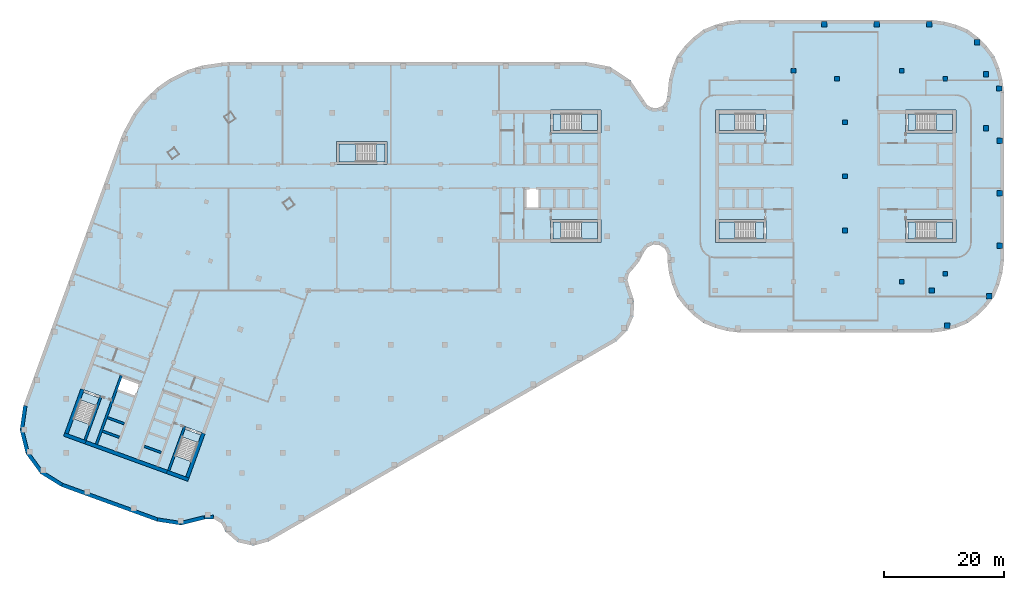
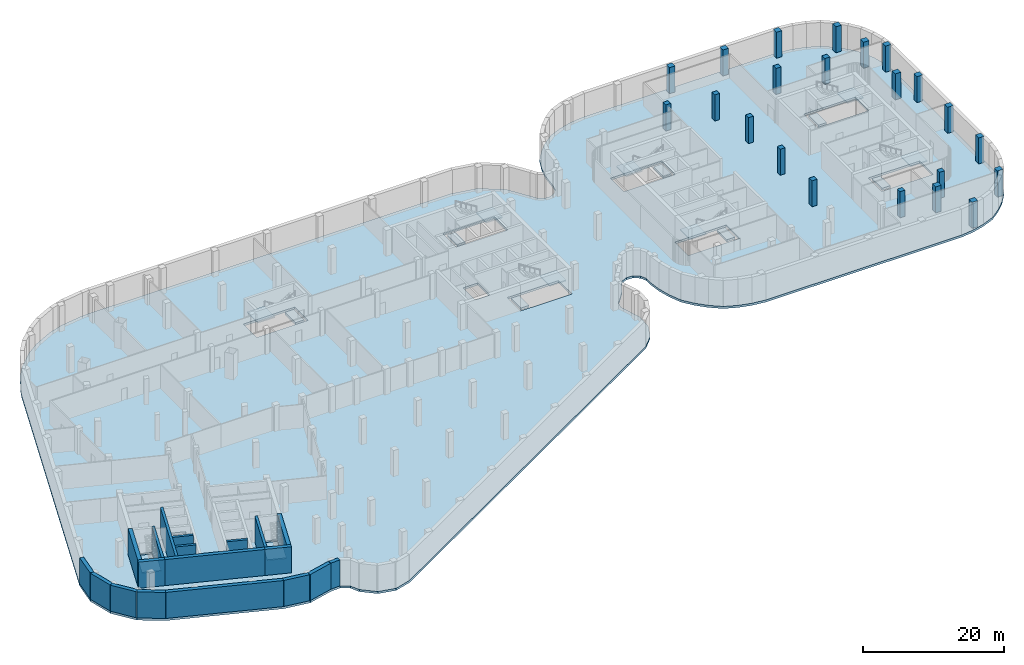
# One storey, part 2 of 16: 22 columns, 19 slabs, 19 walls, 9 elements without a shape of their own.
"""IFC4 building model written with IfcOpenShell, lengths in metres."""

from ifc_helpers import new_model, si_unit, direction, frame, frame_2d, origin, origin_2d, place, context, subcontext, project, spatial, polyline, rectangle, outline, extrude, material, layer, layer_set, material_profile, profile_set, type_object, element, aggregate, save


model = new_model("IFC4")

# Units and contexts
model_context = context("Model", 3, precision=1e-05, world=origin(), true_north=direction((0.0, 1.0)))
body_context = subcontext(model_context, "Body", "Model", "MODEL_VIEW")
ifc_project = project(units=[si_unit("LENGTHUNIT", "METRE"), si_unit("AREAUNIT", "SQUARE_METRE"), si_unit("VOLUMEUNIT", "CUBIC_METRE"), si_unit("PLANEANGLEUNIT", "RADIAN"), si_unit("MASSUNIT", "GRAM", prefix="KILO")], contexts=[model_context])

# Site, building, storey
site_placement = place(None, origin())
site = spatial("IfcSite", under=ifc_project, at=site_placement, CompositionType="ELEMENT")
building_placement = place(site_placement, origin())
building = spatial("IfcBuilding", under=site, at=building_placement, Name="Skarvind Civic Tower", CompositionType="ELEMENT")
storey_placement = place(building_placement, frame((0.0, 0.0, -4.5)))
storey = spatial("IfcBuildingStorey", under=building, at=storey_placement, Name="B1", CompositionType="ELEMENT", Elevation=-4.5)

# Columns
ifc_material_1 = material(Name="Concrete C60", Category="concrete")
ifc_material_profile_1 = material_profile(ifc_material_1, rectangle(XDim=0.800048828125, YDim=0.800048828125, at=origin_2d()), Name="RC-800x800")
ifc_profile_set_1 = profile_set([ifc_material_profile_1], Name="Concrete C60")
column_type_1 = type_object("IfcColumnType", Name="Column RC-800x800 C60", PredefinedType="COLUMN", material=ifc_profile_set_1)
for number, where, z_axis, x_axis, name in (
    (1, (148.550048828125, 119.0, 0.0), (0.0, 0.0, 1.0), (1.0, 0.0, 0.0), "Column second tower middle line 01 B1"),
    (2, (148.550048828125, 128.0, 0.0), (0.0, 0.0, 1.0), (1.0, 0.0, 0.0), "Column second tower middle line 02 B1"),
    (3, (148.550048828125, 137.0, 0.0), (0.0, 0.0, 1.0), (1.0, 0.0, 0.0), "Column second tower middle line 03 B1"),
    (4, (140.0, 145.550048828125, 0.0), (0.0, 0.0, 1.0), (1.0, 0.0, 0.0), "Column second tower north perimeter 02 B1"),
    (5, (147.222900390625, 144.222900390625, 0.0), (0.0, 0.0, 1.0), (1.0, 0.0, 0.0), "Column second tower north perimeter 03 B1"),
    (6, (165.222900390625, 144.222900390625, 0.0), (0.0, 0.0, 1.0), (1.0, 0.0, 0.0), "Column second tower north-east corner B1"),
    (7, (165.222900390625, 111.777099609375, 0.0), (0.0, 0.0, 1.0), (1.0, 0.0, 0.0), "Column second tower south-east corner B1"),
    (8, (158.0, 145.550048828125, 0.0), (0.0, 0.0, 1.0), (1.0, 0.0, 0.0), "Column second tower north perimeter 04 B1"),
    (9, (158.0, 110.449951171875, 0.0), (0.0, 0.0, 1.0), (1.0, 0.0, 0.0), "Column second tower south perimeter 04 B1"),
):
    element("IfcColumn", number, at=place(storey_placement, frame(where, z_axis=z_axis, x_axis=x_axis)), inside=storey, type_object=column_type_1, Name=name, PredefinedType="COLUMN", context=body_context, shape_type="SweptSolid", body=[
        extrude(rectangle(XDim=0.800048828125, YDim=0.800048828125, at=origin_2d()), origin(), (0.0, 0.0, 1.0), 4.5),
    ])
ifc_material_profile_2 = material_profile(ifc_material_1, rectangle(XDim=0.89990234375, YDim=0.89990234375, at=origin_2d()), Name="RC-900x900")
ifc_profile_set_2 = profile_set([ifc_material_profile_2], Name="Concrete C60")
column_type_2 = type_object("IfcColumnType", Name="Column RC-900x900 C60", PredefinedType="COLUMN", material=ifc_profile_set_2)
for number, where, z_axis, x_axis, name in (
    (10, (163.0, 109.0, 0.0), (0.0, 0.0, 1.0), (1.0, 0.0, 0.0), "Column podium grid 104 B1"),
    (11, (172.0, 136.0, 0.0), (0.0, 0.0, 1.0), (1.0, 0.0, 0.0), "Column podium grid 105 B1"),
    (12, (172.0, 145.0, 0.0), (0.0, 0.0, 1.0), (1.0, 0.0, 0.0), "Column podium grid 106 B1"),
    (13, (145.1015625, 153.300048828125, 0.0), (0.0, 0.0, 1.0), (1.0, 0.0, 0.0), "Column podium edge 31 B1"),
    (14, (153.8310546875, 153.300048828125, 0.0), (0.0, 0.0, 1.0), (1.0, 0.0, 0.0), "Column podium edge 32 B1"),
    (15, (162.560791015625, 153.300048828125, 0.0), (0.0, 0.0, 1.0), (1.0, 0.0, 0.0), "Column podium edge 33 B1"),
    (16, (170.520751953125, 150.26708984375, 0.0), (0.0, 0.0, 1.0), (1.0, 0.0, 0.0), "Column podium edge 34 B1"),
    (17, (174.210693359375, 142.610595703125, 0.0), (0.0, 0.0, 1.0), (1.0, 0.0, 0.0), "Column podium edge 35 B1"),
    (18, (174.300048828125, 133.88671875, 0.0), (0.0, 0.0, 1.0), (1.0, 0.0, 0.0), "Column podium edge 36 B1"),
    (19, (174.300048828125, 125.1572265625, 0.0), (0.0, 0.0, 1.0), (1.0, 0.0, 0.0), "Column podium edge 37 B1"),
    (20, (174.300048828125, 116.427490234375, 0.0), (0.0, 0.0, 1.0), (1.0, 0.0, 0.0), "Column podium edge 38 B1"),
    (21, (172.520751953125, 108.018798828125, 0.0), (0.0, 0.0, 1.0), (1.0, 0.0, 0.0), "Column podium edge 39 B1"),
    (22, (165.565673828125, 103.1298828125, 0.0), (0.0, 0.0, 1.0), (1.0, 0.0, 0.0), "Column podium edge 40 B1"),
):
    element("IfcColumn", number, at=place(storey_placement, frame(where, z_axis=z_axis, x_axis=x_axis)), inside=storey, type_object=column_type_2, Name=name, PredefinedType="COLUMN", context=body_context, shape_type="SweptSolid", body=[
        extrude(rectangle(XDim=0.89990234375, YDim=0.89990234375, at=origin_2d()), origin(), (0.0, 0.0, 1.0), 4.5),
    ])

# Slabs
ifc_material_2 = material(Name="Concrete C50", Category="concrete")
ifc_layer_1 = layer(ifc_material_2, 0.375)
ifc_layer_set_1 = layer_set([ifc_layer_1], Name="Floor slab 375 C50")
slab_type_1 = type_object("IfcSlabType", Name="Floor slab 375 C50", PredefinedType="FLOOR", material=ifc_layer_set_1)
slab_1_placement = place(storey_placement, frame((0.0, 0.0, -0.375)))
element("IfcSlab", 23, at=slab_1_placement, inside=storey, type_object=slab_type_1, Name="Floor slab B1 1", PredefinedType="FLOOR", context=body_context, shape_type="SweptSolid", body=[
    extrude(outline(polyline([(52.751220703125, 67.291015625), (110.5869140625, 100.577880859375), (112.365234375, 102.4130859375), (113.374267578125, 104.760986328125), (113.4814453125, 107.314208984375), (112.6728515625, 109.73828125), (112.37109375, 110.751953125), (112.6005859375, 111.7841796875), (113.303466796875, 112.57470703125), (114.366455078125, 113.885009765625), (115.1328125, 115.388427734375), (115.75048828125, 116.2119140625), (116.6904296875, 116.63232421875), (117.716064453125, 116.54345703125), (118.56982421875, 115.968017578125), (119.036865234375, 115.05078125), (119.0, 114.021728515625), (119.2783203125, 111.908447265625), (119.8017578125, 109.95458984375), (120.610107421875, 108.001220703125), (121.897705078125, 106.32470703125), (123.32470703125, 104.897705078125), (125.001220703125, 103.610107421875), (126.95458984375, 102.8017578125), (128.908447265625, 102.2783203125), (131.021728515625, 102.0), (162.978271484375, 102.0), (165.091552734375, 102.2783203125), (167.04541015625, 102.8017578125), (168.998779296875, 103.610107421875), (170.67529296875, 104.897705078125), (172.102294921875, 106.32470703125), (173.389892578125, 108.001220703125), (174.1982421875, 109.95458984375), (174.7216796875, 111.908447265625), (175.0, 114.021728515625), (175.0, 141.978271484375), (174.7216796875, 144.091552734375), (174.1982421875, 146.04541015625), (173.389892578125, 147.998779296875), (172.102294921875, 149.67529296875), (170.67529296875, 151.102294921875), (168.998779296875, 152.389892578125), (167.04541015625, 153.1982421875), (165.091552734375, 153.7216796875), (162.978271484375, 154.0), (131.021728515625, 154.0), (128.908447265625, 153.7216796875), (126.95458984375, 153.1982421875), (125.001220703125, 152.389892578125), (123.32470703125, 151.102294921875), (121.897705078125, 149.67529296875), (120.610107421875, 147.998779296875), (119.8017578125, 146.04541015625), (119.2783203125, 144.091552734375), (119.0, 141.328369140625), (118.785400390625, 140.427490234375), (118.18798828125, 139.7197265625), (117.336181640625, 139.356689453125), (116.411865234375, 139.41650390625), (115.613525390625, 139.885986328125), (115.1123046875, 140.664794921875), (112.829345703125, 144.004638671875), (109.44921875, 146.227294921875), (105.478271484375, 147.0), (46.114013671875, 147.0), (44.900390625, 146.910400390625), (41.58837890625, 146.417724609375), (39.1904296875, 145.67041015625), (36.191162109375, 144.19775390625), (34.1337890625, 142.757080078125), (31.72412109375, 140.442626953125), (30.201904296875, 138.44482421875), (28.606201171875, 135.5009765625), (28.10693359375, 134.391357421875), (11.9072265625, 89.883544921875), (11.325439453125, 85.83349609375), (12.311279296875, 81.862548828125), (14.719482421875, 78.554931640625), (18.19580078125, 76.3974609375), (34.129638671875, 70.59814453125), (38.114990234375, 69.990478515625), (42.026611328125, 70.964111328125), (43.532470703125, 71.034423828125), (44.827880859375, 70.263916015625), (45.484619140625, 68.9072265625), (47.523193359375, 67.14111328125), (50.15625, 66.555419921875), (52.751220703125, 67.291015625)]), holes=[polyline([(42.108642578125, 85.146484375), (39.235595703125, 77.253173828125), (35.664794921875, 78.552734375), (38.53759765625, 86.4462890625), (42.108642578125, 85.146484375)]), polyline([(25.006103515625, 91.371337890625), (22.13330078125, 83.477783203125), (18.5625, 84.777587890625), (21.435302734375, 92.6708984375), (25.006103515625, 91.371337890625)]), polyline([(31.3291015625, 93.53955078125), (30.50830078125, 91.2841796875), (27.313232421875, 92.447021484375), (28.134033203125, 94.702392578125), (31.3291015625, 93.53955078125)]), polyline([(97.800048828125, 126.0), (97.800048828125, 122.60009765625), (95.39990234375, 122.60009765625), (95.39990234375, 126.0), (97.800048828125, 126.0)]), polyline([(64.0, 130.0), (64.0, 133.800048828125), (72.39990234375, 133.800048828125), (72.39990234375, 130.0), (64.0, 130.0)]), polyline([(99.60009765625, 139.0), (108.0, 139.0), (108.0, 135.199951171875), (99.60009765625, 135.199951171875), (99.60009765625, 139.0)]), polyline([(108.0, 120.800048828125), (108.0, 117.0), (99.60009765625, 117.0), (99.60009765625, 120.800048828125), (108.0, 120.800048828125)]), polyline([(127.0, 117.0), (127.0, 120.800048828125), (135.39990234375, 120.800048828125), (135.39990234375, 117.0), (127.0, 117.0)]), polyline([(158.60009765625, 120.800048828125), (167.0, 120.800048828125), (167.0, 117.0), (158.60009765625, 117.0), (158.60009765625, 120.800048828125)]), polyline([(127.0, 135.199951171875), (127.0, 139.0), (135.39990234375, 139.0), (135.39990234375, 135.199951171875), (127.0, 135.199951171875)]), polyline([(167.0, 139.0), (167.0, 135.199951171875), (158.60009765625, 135.199951171875), (158.60009765625, 139.0), (167.0, 139.0)])]), origin(), (0.0, 0.0, 1.0), 0.375),
])
ifc_material_3 = material(Name="Concrete C40/50", Category="concrete")
ifc_layer_2 = layer(ifc_material_3, 0.375)
ifc_layer_set_2 = layer_set([ifc_layer_2], Name="Stair floor landing slab 375")
slab_type_2 = type_object("IfcSlabType", Name="Stair floor landing slab 375", PredefinedType="LANDING", material=ifc_layer_set_2)
slab_2_placement = place(storey_placement, frame((0.0, 0.0, -0.375)))
element("IfcSlab", 24, at=slab_2_placement, inside=storey, type_object=slab_type_2, Name="Stair floor landing", PredefinedType="LANDING", context=body_context, shape_type="SweptSolid", body=[
    extrude(outline(polyline([(101.3505859375, 138.400634765625), (101.3505859375, 135.599365234375), (99.99951171875, 135.599365234375), (99.99951171875, 138.400634765625), (101.3505859375, 138.400634765625)])), origin(), (0.0, 0.0, 1.0), 0.375),
])
slab_3_placement = place(storey_placement, frame((0.0, 0.0, -0.375)))
element("IfcSlab", 25, at=slab_3_placement, inside=storey, type_object=slab_type_2, Name="Stair floor landing", PredefinedType="LANDING", context=body_context, shape_type="SweptSolid", body=[
    extrude(outline(polyline([(101.3505859375, 120.400634765625), (101.3505859375, 117.599365234375), (99.99951171875, 117.599365234375), (99.99951171875, 120.400634765625), (101.3505859375, 120.400634765625)])), origin(), (0.0, 0.0, 1.0), 0.375),
])
slab_4_placement = place(storey_placement, frame((0.0, 0.0, -0.375)))
element("IfcSlab", 26, at=slab_4_placement, inside=storey, type_object=slab_type_2, Name="Stair floor landing", PredefinedType="LANDING", context=body_context, shape_type="SweptSolid", body=[
    extrude(outline(polyline([(40.946533203125, 83.70654296875), (38.314208984375, 84.66455078125), (38.7763671875, 85.934326171875), (41.40869140625, 84.976318359375), (40.946533203125, 83.70654296875)])), origin(), (0.0, 0.0, 1.0), 0.375),
])
slab_5_placement = place(storey_placement, frame((0.0, 0.0, -0.375)))
element("IfcSlab", 27, at=slab_5_placement, inside=storey, type_object=slab_type_2, Name="Stair floor landing", PredefinedType="LANDING", context=body_context, shape_type="SweptSolid", body=[
    extrude(outline(polyline([(24.0322265625, 89.863037109375), (21.39990234375, 90.821044921875), (21.862060546875, 92.090576171875), (24.494384765625, 91.132568359375), (24.0322265625, 89.863037109375)])), origin(), (0.0, 0.0, 1.0), 0.375),
])
slab_6_placement = place(storey_placement, frame((0.0, 0.0, -0.375)))
element("IfcSlab", 28, at=slab_6_placement, inside=storey, type_object=slab_type_2, Name="Stair floor landing", PredefinedType="LANDING", context=body_context, shape_type="SweptSolid", body=[
    extrude(outline(polyline([(133.6494140625, 117.599365234375), (133.6494140625, 120.400634765625), (135.00048828125, 120.400634765625), (135.00048828125, 117.599365234375), (133.6494140625, 117.599365234375)])), origin(), (0.0, 0.0, 1.0), 0.375),
])
slab_7_placement = place(storey_placement, frame((0.0, 0.0, -0.375)))
element("IfcSlab", 29, at=slab_7_placement, inside=storey, type_object=slab_type_2, Name="Stair floor landing", PredefinedType="LANDING", context=body_context, shape_type="SweptSolid", body=[
    extrude(outline(polyline([(133.6494140625, 135.599365234375), (133.6494140625, 138.400634765625), (135.00048828125, 138.400634765625), (135.00048828125, 135.599365234375), (133.6494140625, 135.599365234375)])), origin(), (0.0, 0.0, 1.0), 0.375),
])
slab_8_placement = place(storey_placement, frame((0.0, 0.0, -0.375)))
element("IfcSlab", 30, at=slab_8_placement, inside=storey, type_object=slab_type_2, Name="Stair floor landing", PredefinedType="LANDING", context=body_context, shape_type="SweptSolid", body=[
    extrude(outline(polyline([(160.3505859375, 138.400634765625), (160.3505859375, 135.599365234375), (158.99951171875, 135.599365234375), (158.99951171875, 138.400634765625), (160.3505859375, 138.400634765625)])), origin(), (0.0, 0.0, 1.0), 0.375),
])
slab_9_placement = place(storey_placement, frame((0.0, 0.0, -0.375)))
element("IfcSlab", 31, at=slab_9_placement, inside=storey, type_object=slab_type_2, Name="Stair floor landing", PredefinedType="LANDING", context=body_context, shape_type="SweptSolid", body=[
    extrude(outline(polyline([(160.3505859375, 120.400634765625), (160.3505859375, 117.599365234375), (158.99951171875, 117.599365234375), (158.99951171875, 120.400634765625), (160.3505859375, 120.400634765625)])), origin(), (0.0, 0.0, 1.0), 0.375),
])
slab_10_placement = place(storey_placement, frame((0.0, 0.0, -0.375)))
element("IfcSlab", 32, at=slab_10_placement, inside=storey, type_object=slab_type_2, Name="Stair floor landing", PredefinedType="LANDING", context=body_context, shape_type="SweptSolid", body=[
    extrude(outline(polyline([(70.54931640625, 130.3994140625), (70.54931640625, 133.400634765625), (72.00048828125, 133.400634765625), (72.00048828125, 130.3994140625), (70.54931640625, 130.3994140625)])), origin(), (0.0, 0.0, 1.0), 0.375),
])

# Stair, slab
stair_type_1 = type_object("IfcStairType", Name="Exit stair, half-turn, concrete", PredefinedType="HALF_TURN_STAIR", material=ifc_material_3)
stair_1_placement = place(storey_placement, origin())
stair_1 = element("IfcStair", 33, at=stair_1_placement, inside=storey, type_object=stair_type_1, Name="Exit stair C1S", PredefinedType="HALF_TURN_STAIR")
ifc_layer_3 = layer(ifc_material_3, 0.199951171875)
ifc_layer_set_3 = layer_set([ifc_layer_3], Name="Stair half landing slab")
slab_type_3 = type_object("IfcSlabType", Name="Stair half landing slab", PredefinedType="LANDING", material=ifc_layer_set_3)
slab_11_placement = place(storey_placement, frame((0.0, 0.0, 2.050048828125)))
slab_11 = element("IfcSlab", 34, at=slab_11_placement, type_object=slab_type_3, Name="ST-C1S landing 1", PredefinedType="LANDING", context=body_context, shape_type="SweptSolid", body=[
    extrude(outline(polyline([(104.70947265625, 135.599365234375), (104.70947265625, 138.400634765625), (107.400634765625, 138.400634765625), (107.400634765625, 135.599365234375), (104.70947265625, 135.599365234375)])), origin(), (0.0, 0.0, 1.0), 0.199951171875),
])
aggregate(stair_1, [slab_11])

stair_2_placement = place(storey_placement, origin())
stair_2 = element("IfcStair", 35, at=stair_2_placement, inside=storey, type_object=stair_type_1, Name="Exit stair C1N", PredefinedType="HALF_TURN_STAIR")
slab_12_placement = place(storey_placement, frame((0.0, 0.0, 2.050048828125)))
slab_12 = element("IfcSlab", 36, at=slab_12_placement, type_object=slab_type_3, Name="ST-C1N landing 1", PredefinedType="LANDING", context=body_context, shape_type="SweptSolid", body=[
    extrude(outline(polyline([(104.70947265625, 117.599365234375), (104.70947265625, 120.400634765625), (107.400634765625, 120.400634765625), (107.400634765625, 117.599365234375), (104.70947265625, 117.599365234375)])), origin(), (0.0, 0.0, 1.0), 0.199951171875),
])
aggregate(stair_2, [slab_12])

stair_3_placement = place(storey_placement, origin())
stair_3 = element("IfcStair", 37, at=stair_3_placement, inside=storey, type_object=stair_type_1, Name="Exit stair C2S", PredefinedType="HALF_TURN_STAIR")
slab_13_placement = place(storey_placement, frame((0.0, 0.0, 2.050048828125)))
slab_13 = element("IfcSlab", 38, at=slab_13_placement, type_object=slab_type_3, Name="ST-C2S landing 1", PredefinedType="LANDING", context=body_context, shape_type="SweptSolid", body=[
    extrude(outline(polyline([(37.16552734375, 81.50830078125), (39.7978515625, 80.55029296875), (38.87744140625, 78.021484375), (36.2451171875, 78.9794921875), (37.16552734375, 81.50830078125)])), origin(), (0.0, 0.0, 1.0), 0.199951171875),
])
aggregate(stair_3, [slab_13])

stair_4_placement = place(storey_placement, origin())
stair_4 = element("IfcStair", 39, at=stair_4_placement, inside=storey, type_object=stair_type_1, Name="Exit stair C2N", PredefinedType="HALF_TURN_STAIR")
slab_14_placement = place(storey_placement, frame((0.0, 0.0, 2.050048828125)))
slab_14 = element("IfcSlab", 40, at=slab_14_placement, type_object=slab_type_3, Name="ST-C2N landing 1", PredefinedType="LANDING", context=body_context, shape_type="SweptSolid", body=[
    extrude(outline(polyline([(20.2509765625, 87.664794921875), (22.88330078125, 86.706787109375), (21.962890625, 84.177734375), (19.33056640625, 85.1357421875), (20.2509765625, 87.664794921875)])), origin(), (0.0, 0.0, 1.0), 0.199951171875),
])
aggregate(stair_4, [slab_14])

stair_5_placement = place(storey_placement, origin())
stair_5 = element("IfcStair", 41, at=stair_5_placement, inside=storey, type_object=stair_type_1, Name="Exit stair CAS", PredefinedType="HALF_TURN_STAIR")
slab_15_placement = place(storey_placement, frame((0.0, 0.0, 2.050048828125)))
slab_15 = element("IfcSlab", 42, at=slab_15_placement, type_object=slab_type_3, Name="ST-CAS landing 1", PredefinedType="LANDING", context=body_context, shape_type="SweptSolid", body=[
    extrude(outline(polyline([(130.29052734375, 120.400634765625), (130.29052734375, 117.599365234375), (127.599365234375, 117.599365234375), (127.599365234375, 120.400634765625), (130.29052734375, 120.400634765625)])), origin(), (0.0, 0.0, 1.0), 0.199951171875),
])
aggregate(stair_5, [slab_15])

stair_6_placement = place(storey_placement, origin())
stair_6 = element("IfcStair", 43, at=stair_6_placement, inside=storey, type_object=stair_type_1, Name="Exit stair CAN", PredefinedType="HALF_TURN_STAIR")
slab_16_placement = place(storey_placement, frame((0.0, 0.0, 2.050048828125)))
slab_16 = element("IfcSlab", 44, at=slab_16_placement, type_object=slab_type_3, Name="ST-CAN landing 1", PredefinedType="LANDING", context=body_context, shape_type="SweptSolid", body=[
    extrude(outline(polyline([(130.29052734375, 138.400634765625), (130.29052734375, 135.599365234375), (127.599365234375, 135.599365234375), (127.599365234375, 138.400634765625), (130.29052734375, 138.400634765625)])), origin(), (0.0, 0.0, 1.0), 0.199951171875),
])
aggregate(stair_6, [slab_16])

stair_7_placement = place(storey_placement, origin())
stair_7 = element("IfcStair", 45, at=stair_7_placement, inside=storey, type_object=stair_type_1, Name="Exit stair CBS", PredefinedType="HALF_TURN_STAIR")
slab_17_placement = place(storey_placement, frame((0.0, 0.0, 2.050048828125)))
slab_17 = element("IfcSlab", 46, at=slab_17_placement, type_object=slab_type_3, Name="ST-CBS landing 1", PredefinedType="LANDING", context=body_context, shape_type="SweptSolid", body=[
    extrude(outline(polyline([(163.70947265625, 135.599365234375), (163.70947265625, 138.400634765625), (166.400634765625, 138.400634765625), (166.400634765625, 135.599365234375), (163.70947265625, 135.599365234375)])), origin(), (0.0, 0.0, 1.0), 0.199951171875),
])
aggregate(stair_7, [slab_17])

stair_8_placement = place(storey_placement, origin())
stair_8 = element("IfcStair", 47, at=stair_8_placement, inside=storey, type_object=stair_type_1, Name="Exit stair CBN", PredefinedType="HALF_TURN_STAIR")
slab_18_placement = place(storey_placement, frame((0.0, 0.0, 2.050048828125)))
slab_18 = element("IfcSlab", 48, at=slab_18_placement, type_object=slab_type_3, Name="ST-CBN landing 1", PredefinedType="LANDING", context=body_context, shape_type="SweptSolid", body=[
    extrude(outline(polyline([(163.70947265625, 117.599365234375), (163.70947265625, 120.400634765625), (166.400634765625, 120.400634765625), (166.400634765625, 117.599365234375), (163.70947265625, 117.599365234375)])), origin(), (0.0, 0.0, 1.0), 0.199951171875),
])
aggregate(stair_8, [slab_18])

stair_type_2 = type_object("IfcStairType", Name="Exit stair 1450, half-turn, concrete", PredefinedType="HALF_TURN_STAIR", material=ifc_material_3)
stair_9_placement = place(storey_placement, origin())
stair_9 = element("IfcStair", 49, at=stair_9_placement, inside=storey, type_object=stair_type_2, Name="Exit stair CM", PredefinedType="HALF_TURN_STAIR")
slab_19_placement = place(storey_placement, frame((0.0, 0.0, 2.050048828125)))
slab_19 = element("IfcSlab", 50, at=slab_19_placement, type_object=slab_type_3, Name="ST-CM landing 1", PredefinedType="LANDING", context=body_context, shape_type="SweptSolid", body=[
    extrude(outline(polyline([(67.190673828125, 133.400634765625), (67.190673828125, 130.3994140625), (64.3994140625, 130.3994140625), (64.3994140625, 133.400634765625), (67.190673828125, 133.400634765625)])), origin(), (0.0, 0.0, 1.0), 0.199951171875),
])
aggregate(stair_9, [slab_19])

# Walls
ifc_material_4 = material(Name="Concrete C40", Category="concrete")
ifc_layer_4 = layer(ifc_material_4, 0.60009765625)
ifc_layer_set_4 = layer_set([ifc_layer_4], Name="Basement retaining wall 600 C40")
wall_type_1 = type_object("IfcWallType", Name="Basement retaining wall 600 C40", PredefinedType="SHEAR", material=ifc_layer_set_4)
wall_1_placement = place(storey_placement, frame((43.538330078125, 71.335205078125, 0.0), z_axis=(0.0, 0.0, 1.0), x_axis=(-0.998910056035, -0.046676546065, 0.0)))
element("IfcWall", 51, at=wall_1_placement, inside=storey, type_object=wall_type_1, Name="Basement retaining wall B1 6", PredefinedType="SHEAR", context=body_context, shape_type="SweptSolid", body=[
    extrude(rectangle(XDim=1.52734375, YDim=0.60009765625, at=frame_2d((0.763671875, 0.0))), origin(), (0.0, 0.0, 1.0), 4.5),
])
wall_2_placement = place(storey_placement, frame((41.954345703125, 71.25537109375, 0.0), z_axis=(0.0, 0.0, 1.0), x_axis=(-0.970394910586, -0.241523741086, 0.0)))
element("IfcWall", 52, at=wall_2_placement, inside=storey, type_object=wall_type_1, Name="Basement retaining wall B1 7", PredefinedType="SHEAR", context=body_context, shape_type="SweptSolid", body=[
    extrude(rectangle(XDim=4.03125, YDim=0.60009765625, at=frame_2d((2.015625, 0.0))), origin(), (0.0, 0.0, 1.0), 4.5),
])
wall_3_placement = place(storey_placement, frame((38.021728515625, 70.30810546875, 0.0), z_axis=(0.0, 0.0, 1.0), x_axis=(-0.98856887885, 0.150769929924, 0.0)))
element("IfcWall", 53, at=wall_3_placement, inside=storey, type_object=wall_type_1, Name="Basement retaining wall B1 8", PredefinedType="SHEAR", context=body_context, shape_type="SweptSolid", body=[
    extrude(rectangle(XDim=3.89111328125, YDim=0.60009765625, at=frame_2d((1.945556640625, 0.0))), origin(), (0.0, 0.0, 1.0), 4.5),
])
wall_4_placement = place(storey_placement, frame((34.2041015625, 70.890380859375, 0.0), z_axis=(0.0, 0.0, 1.0), x_axis=(-0.939693996621, 0.342016363227, 0.0)))
element("IfcWall", 54, at=wall_4_placement, inside=storey, type_object=wall_type_1, Name="Basement retaining wall B1 9", PredefinedType="SHEAR", context=body_context, shape_type="SweptSolid", body=[
    extrude(rectangle(XDim=16.92626953125, YDim=0.60009765625, at=frame_2d((8.463134765625, 0.0))), origin(), (0.0, 0.0, 1.0), 4.5),
])
wall_5_placement = place(storey_placement, frame((18.32861328125, 76.668212890625, 0.0), z_axis=(0.0, 0.0, 1.0), x_axis=(-0.849679171995, 0.527300013918, 0.0)))
element("IfcWall", 55, at=wall_5_placement, inside=storey, type_object=wall_type_1, Name="Basement retaining wall B1 10", PredefinedType="SHEAR", context=body_context, shape_type="SweptSolid", body=[
    extrude(rectangle(XDim=4.0615234375, YDim=0.60009765625, at=frame_2d((2.03076171875, 0.0))), origin(), (0.0, 0.0, 1.0), 4.5),
])
wall_6_placement = place(storey_placement, frame((14.885498046875, 78.836669921875, 0.0), z_axis=(0.0, 0.0, 1.0), x_axis=(-0.588600339707, 0.808424170901, 0.0)))
element("IfcWall", 56, at=wall_6_placement, inside=storey, type_object=wall_type_1, Name="Basement retaining wall B1 11", PredefinedType="SHEAR", context=body_context, shape_type="SweptSolid", body=[
    extrude(rectangle(XDim=3.961669921875, YDim=0.60009765625, at=frame_2d((1.98095703125, 0.0))), origin(), (0.0, 0.0, 1.0), 4.5),
])
for number, where, z_axis, x_axis, name in (
    (57, (12.571044921875, 82.06103515625, 0.0), (0.0, 0.0, 1.0), (-0.240911156859, 0.970547172733, 0.0), "Basement retaining wall B1 12"),
    (58, (11.640869140625, 85.919677734375, 0.0), (0.0, 0.0, 1.0), (0.142240980655, 0.989832058191, 0.0), "Basement retaining wall B1 13"),
):
    element("IfcWall", number, at=place(storey_placement, frame(where, z_axis=z_axis, x_axis=x_axis)), inside=storey, type_object=wall_type_1, Name=name, PredefinedType="SHEAR", context=body_context, shape_type="SweptSolid", body=[
        extrude(rectangle(XDim=3.96142578125, YDim=0.60009765625, at=frame_2d((1.980712890625, 0.0))), origin(), (0.0, 0.0, 1.0), 4.5),
    ])
ifc_material_5 = material(Name="Concrete C80", Category="concrete")
ifc_layer_5 = layer(ifc_material_5, 0.39990234375)
ifc_layer_set_5 = layer_set([ifc_layer_5], Name="Core wall 400 C80")
wall_type_2 = type_object("IfcWallType", Name="Core wall 400 C80", PredefinedType="SHEAR", material=ifc_layer_set_5)
for number, where, z_axis, x_axis, name in (
    (59, (36.057861328125, 79.04833984375, 0.0), (0.0, 0.0, 1.0), (0.342016982193, 0.939693771338, 0.0), "Core wall C2 south stair inner B1"),
    (60, (22.150390625, 84.110107421875, 0.0), (0.0, 0.0, 1.0), (0.342016982193, 0.939693771338, 0.0), "Core wall C2 north stair inner B1"),
):
    element("IfcWall", number, at=place(storey_placement, frame(where, z_axis=z_axis, x_axis=x_axis)), inside=storey, type_object=wall_type_2, Name=name, PredefinedType="SHEAR", context=body_context, shape_type="SweptSolid", body=[
        extrude(rectangle(XDim=7.800048828125, YDim=0.39990234375, at=frame_2d((3.89990234375, 0.0))), origin(), (0.0, 0.0, 1.0), 4.5),
    ])
wall_7_placement = place(storey_placement, frame((34.8115234375, 82.055908203125, 0.0), z_axis=(0.0, 0.0, 1.0), x_axis=(-0.939686455819, 0.342037080957, 0.0)))
element("IfcWall", 61, at=wall_7_placement, inside=storey, type_object=wall_type_2, Name="Core wall C2 south lift row division 1 B1", PredefinedType="SHEAR", context=body_context, shape_type="SweptSolid", body=[
    extrude(rectangle(XDim=3.0, YDim=0.39990234375, at=frame_2d((1.5, 0.0))), origin(), (0.0, 0.0, 1.0), 4.5),
])
wall_8_placement = place(storey_placement, frame((24.02978515625, 83.426025390625, 0.0), z_axis=(0.0, 0.0, 1.0), x_axis=(0.342014590177, 0.939694641948, 0.0)))
element("IfcWall", 62, at=wall_8_placement, inside=storey, type_object=wall_type_2, Name="Core wall C2 north lift row back B1", PredefinedType="SHEAR", context=body_context, shape_type="SweptSolid", body=[
    extrude(rectangle(XDim=12.2001953125, YDim=0.39990234375, at=frame_2d((6.10009765625, 0.0))), origin(), (0.0, 0.0, 1.0), 4.5),
])
wall_9_placement = place(storey_placement, frame((27.857666015625, 84.5869140625, 0.0), z_axis=(0.0, 0.0, 1.0), x_axis=(-0.939686455819, 0.342037080957, 0.0)))
element("IfcWall", 63, at=wall_9_placement, inside=storey, type_object=wall_type_2, Name="Core wall C2 north lift row division 1 B1", PredefinedType="SHEAR", context=body_context, shape_type="SweptSolid", body=[
    extrude(rectangle(XDim=3.0, YDim=0.39990234375, at=frame_2d((1.5, 0.0))), origin(), (0.0, 0.0, 1.0), 4.5),
])
wall_10_placement = place(storey_placement, frame((28.678466796875, 86.842041015625, 0.0), z_axis=(0.0, 0.0, 1.0), x_axis=(-0.939676934218, 0.342063238742, 0.0)))
element("IfcWall", 64, at=wall_10_placement, inside=storey, type_object=wall_type_2, Name="Core wall C2 north lift row division 2 B1", PredefinedType="SHEAR", context=body_context, shape_type="SweptSolid", body=[
    extrude(rectangle(XDim=2.999755859375, YDim=0.39990234375, at=frame_2d((1.5, 0.0))), origin(), (0.0, 0.0, 1.0), 4.5),
])
ifc_layer_6 = layer(ifc_material_5, 0.60009765625)
ifc_layer_set_6 = layer_set([ifc_layer_6], Name="Core wall 600 C80")
wall_type_3 = type_object("IfcWallType", Name="Core wall 600 C80", PredefinedType="SHEAR", material=ifc_layer_set_6)
wall_11_placement = place(storey_placement, frame((39.338134765625, 77.53515625, 0.0), z_axis=(0.0, 0.0, 1.0), x_axis=(-0.939701471648, 0.341995824804, 0.0)))
element("IfcWall", 65, at=wall_11_placement, inside=storey, type_object=wall_type_3, Name="Core wall C2 tip at the south stair B1", PredefinedType="SHEAR", context=body_context, shape_type="SweptSolid", body=[
    extrude(rectangle(XDim=3.800048828125, YDim=0.60009765625, at=frame_2d((1.89990234375, 0.0))), origin(), (0.0, 0.0, 1.0), 4.5),
])
wall_12_placement = place(storey_placement, frame((35.767333984375, 78.834716796875, 0.0), z_axis=(0.0, 0.0, 1.0), x_axis=(-0.939692894512, 0.342019391267, 0.0)))
element("IfcWall", 66, at=wall_12_placement, inside=storey, type_object=wall_type_3, Name="Core wall C2 tip between the stairs B1", PredefinedType="SHEAR", context=body_context, shape_type="SweptSolid", body=[
    extrude(rectangle(XDim=14.39990234375, YDim=0.60009765625, at=frame_2d((7.199951171875, 0.0))), origin(), (0.0, 0.0, 1.0), 4.5),
])
wall_13_placement = place(storey_placement, frame((22.23583984375, 83.759765625, 0.0), z_axis=(0.0, 0.0, 1.0), x_axis=(-0.939680822529, 0.342052557032, 0.0)))
element("IfcWall", 67, at=wall_13_placement, inside=storey, type_object=wall_type_3, Name="Core wall C2 tip at the north stair B1", PredefinedType="SHEAR", context=body_context, shape_type="SweptSolid", body=[
    extrude(rectangle(XDim=3.800048828125, YDim=0.60009765625, at=frame_2d((1.89990234375, 0.0))), origin(), (0.0, 0.0, 1.0), 4.5),
])
for number, where, z_axis, x_axis, name in (
    (68, (39.158935546875, 77.919677734375, 0.0), (0.0, 0.0, 1.0), (0.342016982193, 0.939693771338, 0.0), "Core wall C2 south side at the stair B1"),
    (69, (19.049560546875, 85.23876953125, 0.0), (0.0, 0.0, 1.0), (0.342016982193, 0.939693771338, 0.0), "Core wall C2 north side at the stair B1"),
):
    element("IfcWall", number, at=place(storey_placement, frame(where, z_axis=z_axis, x_axis=x_axis)), inside=storey, type_object=wall_type_3, Name=name, PredefinedType="SHEAR", context=body_context, shape_type="SweptSolid", body=[
        extrude(rectangle(XDim=7.800048828125, YDim=0.60009765625, at=frame_2d((3.89990234375, 0.0))), origin(), (0.0, 0.0, 1.0), 4.5),
    ])

save(model, "model.ifc")
